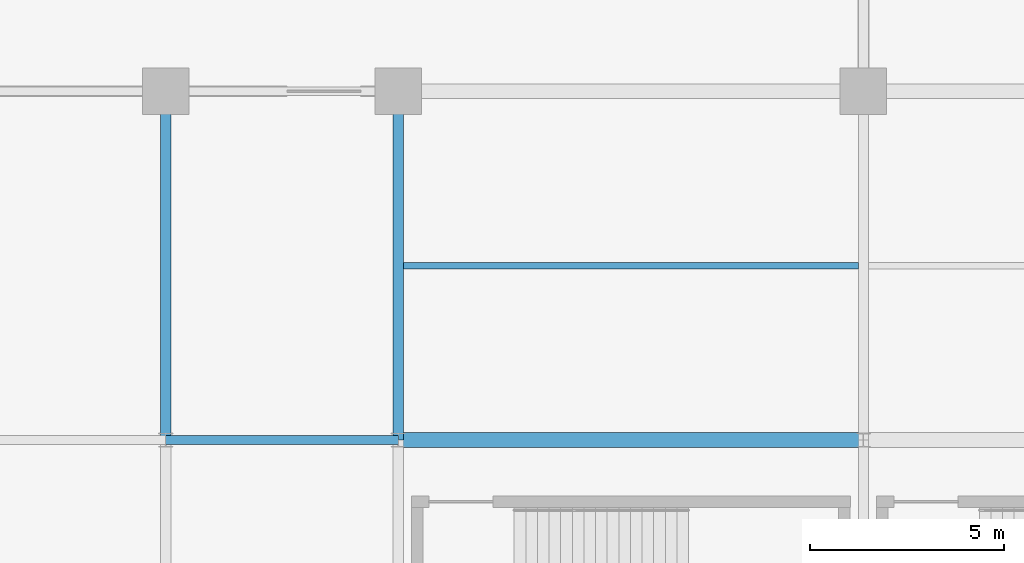
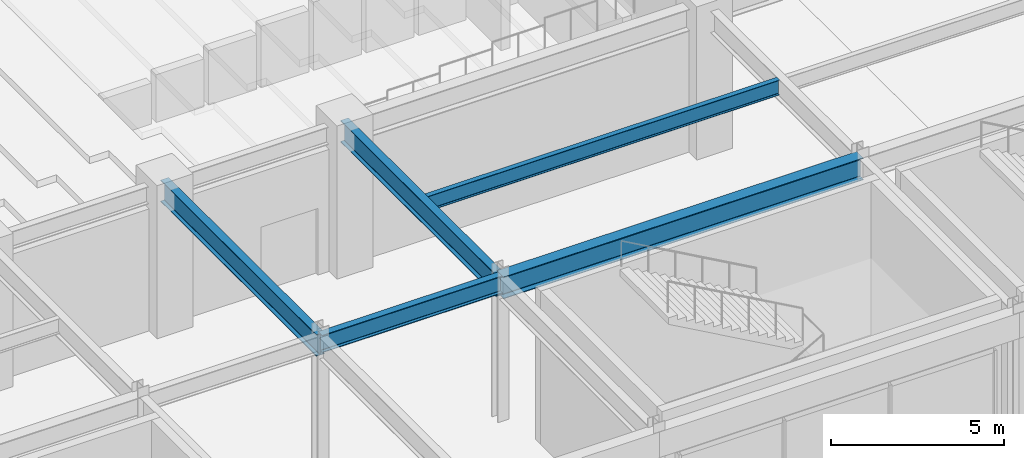
# One storey, part 31 of 100: 5 beams.
"""IFC4 building model written with IfcOpenShell, lengths in metres."""

import ifcopenshell
import ifcopenshell.guid

model = None  # the IFC model being written
_history = None  # IfcOwnerHistory: only IFC2X3 demands one
_inside = {}  # id of a spatial element -> (the spatial element, [elements in it])
_under = {}  # id of a project, library or spatial element -> (it, [spatial elements below it])
_declared = {}  # id of a project -> (the project, [libraries it declares])
_typed = {}  # id of a type object -> (the type object, [elements of that type])
_made_of = {}  # id of a material, layer set ... -> (it, [elements and type objects made of it])


def new_model(schema):
    """Start an empty IFC model of exactly this schema.

    Asked for "IFC4X3", IfcOpenShell would pick the latest addendum, in which some entities
    have other attributes; the version numbers below select the first issue.
    IFC2X3 requires an IfcOwnerHistory on every rooted entity: one is made here for all.
    """
    global model, _history
    if schema == "IFC4X3":
        model = ifcopenshell.file(schema_version=(4, 3, 0, 0))
    else:
        model = ifcopenshell.file(schema=schema)
    _inside.clear()
    _under.clear()
    _declared.clear()
    _typed.clear()
    _made_of.clear()
    _history = None
    if model.schema == "IFC2X3":
        org = make("IfcOrganization", Name="unknown")
        user = make(
            "IfcPersonAndOrganization",
            ThePerson=make("IfcPerson", FamilyName="unknown"),
            TheOrganization=org,
        )
        app = make(
            "IfcApplication",
            ApplicationDeveloper=org,
            Version="unknown",
            ApplicationFullName="unknown",
            ApplicationIdentifier="unknown",
        )
        _history = make(
            "IfcOwnerHistory",
            OwningUser=user,
            OwningApplication=app,
            ChangeAction="ADDED",
            CreationDate=0,
        )
    return model


def make(cls, **values):
    """One entity of the class cls with the attributes given. An attribute that is None is left unset."""
    return model.create_entity(
        cls, **{name: value for name, value in values.items() if value is not None}
    )


def rooted(cls, **values):
    """An entity with a GlobalId (a new one), such as an element, a storey or a relation."""
    return make(cls, GlobalId=ifcopenshell.guid.new(), OwnerHistory=_history, **values)


def si_unit(unit_type, name, prefix=None):
    """IfcSIUnit, for example si_unit("LENGTHUNIT", "METRE", prefix="MILLI")."""
    return make("IfcSIUnit", UnitType=unit_type, Prefix=prefix, Name=name)


def assignment(units):
    """IfcUnitAssignment: the units of a project."""
    return None if units is None else make("IfcUnitAssignment", Units=units)


def point(xyz):
    """IfcCartesianPoint."""
    return None if xyz is None else make("IfcCartesianPoint", Coordinates=xyz)


def direction(xyz):
    """IfcDirection."""
    return None if xyz is None else make("IfcDirection", DirectionRatios=xyz)


def frame(location, z_axis=None, x_axis=None):
    """IfcAxis2Placement3D, a coordinate frame: its origin and axes. An axis left out is left unset."""
    return make(
        "IfcAxis2Placement3D",
        Location=point(location),
        Axis=direction(z_axis),
        RefDirection=direction(x_axis),
    )


def frame_2d(location, x_axis=None):
    """IfcAxis2Placement2D, a coordinate frame in the plane: its origin and x axis."""
    return make(
        "IfcAxis2Placement2D", Location=point(location), RefDirection=direction(x_axis)
    )


def origin():
    """The frame at (0, 0, 0) with its axes left unset."""
    return frame((0.0, 0.0, 0.0))


def origin_2d():
    """The frame at (0, 0) in the plane with its x axis left unset."""
    return frame_2d((0.0, 0.0))


def place(relative_to, where):
    """IfcLocalPlacement: puts the frame where relative to a parent placement (None: the world)."""
    return make(
        "IfcLocalPlacement", PlacementRelTo=relative_to, RelativePlacement=where
    )


def context(
    kind, dimensions, precision=None, world=None, true_north=None, identifier=None
):
    """IfcGeometricRepresentationContext, for example the 3D "Model" context."""
    return make(
        "IfcGeometricRepresentationContext",
        ContextIdentifier=identifier,
        ContextType=kind,
        CoordinateSpaceDimension=dimensions,
        Precision=precision,
        WorldCoordinateSystem=world,
        TrueNorth=true_north,
    )


def subcontext(parent, identifier, kind, view, scale=None):
    """IfcGeometricRepresentationSubContext, for example "Body" below "Model"."""
    return make(
        "IfcGeometricRepresentationSubContext",
        ContextIdentifier=identifier,
        ContextType=kind,
        ParentContext=parent,
        TargetScale=scale,
        TargetView=view,
    )


def project(units=None, contexts=None):
    """IfcProject with its units and contexts."""
    return rooted(
        "IfcProject",
        Name="project",
        RepresentationContexts=contexts,
        UnitsInContext=assignment(units),
    )


def spatial(cls, under=None, at=None, **own):
    """A site, building, storey or space (cls), placed at a placement, below another one or the project."""
    s = rooted(cls, ObjectPlacement=at, **own)
    if under is not None:
        _under.setdefault(under.id(), (under, []))[1].append(s)
    return s


def profile(cls, at=None, kind="AREA", **sizes):
    """A parametric profile (cls). Its sizes go by their IFC names, for example OverallWidth=200.0."""
    return make(cls, ProfileType=kind, Position=at, **sizes)


def i_section(**sizes):
    """IfcIShapeProfileDef."""
    return profile("IfcIShapeProfileDef", **sizes)


def extrude(swept, where, along, depth):
    """IfcExtrudedAreaSolid: the profile swept, set in the frame where, extruded along a direction by depth."""
    return make(
        "IfcExtrudedAreaSolid",
        SweptArea=swept,
        Position=where,
        ExtrudedDirection=direction(along),
        Depth=depth,
    )


def shape(context_of_items, identifier, shape_type, items):
    """IfcShapeRepresentation: the items that make up one representation, for example the "Body"."""
    return make(
        "IfcShapeRepresentation",
        ContextOfItems=context_of_items,
        RepresentationIdentifier=identifier,
        RepresentationType=shape_type,
        Items=items,
    )


def material(Name=None, Category=None):
    """IfcMaterial."""
    return make("IfcMaterial", Name=Name, Category=Category)


def material_profile(
    of_material, cross_section, Name=None, Category=None, Priority=None
):
    """IfcMaterialProfile: a cross section and its material."""
    return make(
        "IfcMaterialProfile",
        Name=Name,
        Material=of_material,
        Profile=cross_section,
        Priority=Priority,
        Category=Category,
    )


def profile_set(profiles, Name=None, composite=None):
    """IfcMaterialProfileSet."""
    return make(
        "IfcMaterialProfileSet",
        Name=Name,
        MaterialProfiles=profiles,
        CompositeProfile=composite,
    )


def made_of(thing, what):
    """Note that an element or type object is made of a material, layer set ...; save() writes the relation."""
    if what is not None:
        _made_of.setdefault(what.id(), (what, []))[1].append(thing)
    return thing


def type_object(cls, material=None, **own):
    """A type object (cls), such as IfcWallType, which elements share."""
    return made_of(rooted(cls, **own), material)


def element(
    cls,
    number,
    at=None,
    inside=None,
    cuts=None,
    type_object=None,
    material=None,
    context=None,
    identifier="Body",
    shape_type=None,
    held_by="IfcProductDefinitionShape",
    body=None,
    shapes=None,
    **own,
):
    """One element of the class cls, such as IfcWall. Its Tag is "e" and its number.

    at: its placement. inside: the storey or other place that contains it. cuts: it is an
    opening in that element (IfcRelVoidsElement). A single representation is given by context,
    identifier, shape_type and body (its items); several are given by shapes. held_by: the class
    of the entity that holds the representations. save() writes the other relations.
    """
    e = rooted(cls, Tag="e%d" % number, ObjectPlacement=at, **own)
    if body is not None:
        shapes = [shape(context, identifier, shape_type, body)]
    if shapes is not None:
        e.Representation = make(held_by, Representations=shapes)
    if inside is not None:
        _inside.setdefault(inside.id(), (inside, []))[1].append(e)
    if cuts is not None:
        rooted(
            "IfcRelVoidsElement", RelatingBuildingElement=cuts, RelatedOpeningElement=e
        )
    if type_object is not None:
        _typed.setdefault(type_object.id(), (type_object, []))[1].append(e)
    return made_of(e, material)


def aggregate(whole, parts):
    """IfcRelAggregates: a whole, such as a stair, and the parts it consists of."""
    return rooted("IfcRelAggregates", RelatingObject=whole, RelatedObjects=parts)


def save(model, path):
    """Write the relations noted so far, then the file.

    IfcRelAggregates (storeys below a building ...), IfcRelContainedInSpatialStructure (elements
    in a storey), IfcRelDefinesByType, IfcRelAssociatesMaterial and IfcRelDeclares: one each for
    every whole, place, type object, material and project.
    """
    for whole, parts in _under.values():
        aggregate(whole, parts)
    for where, things in _inside.values():
        rooted(
            "IfcRelContainedInSpatialStructure",
            RelatedElements=things,
            RelatingStructure=where,
        )
    for kind, things in _typed.values():
        rooted("IfcRelDefinesByType", RelatedObjects=things, RelatingType=kind)
    for what, things in _made_of.values():
        rooted("IfcRelAssociatesMaterial", RelatedObjects=things, RelatingMaterial=what)
    for by, libraries in _declared.values():
        rooted("IfcRelDeclares", RelatingContext=by, RelatedDefinitions=libraries)
    model.write(path)


model = new_model("IFC4")

# Units and contexts
model_context = context("Model", 3, precision=1e-05, world=origin(), true_north=direction((0.0, 1.0)))
body_context = subcontext(model_context, "Body", "Model", "MODEL_VIEW")
ifc_project = project(units=[si_unit("LENGTHUNIT", "METRE"), si_unit("AREAUNIT", "SQUARE_METRE"), si_unit("VOLUMEUNIT", "CUBIC_METRE"), si_unit("PLANEANGLEUNIT", "RADIAN"), si_unit("MASSUNIT", "GRAM", prefix="KILO")], contexts=[model_context])

# Site, building, storey
site_placement = place(None, origin())
site = spatial("IfcSite", under=ifc_project, at=site_placement, CompositionType="ELEMENT")
building_placement = place(site_placement, origin())
building = spatial("IfcBuilding", under=site, at=building_placement, Name="Kaldorvane Square Convention Centre", CompositionType="ELEMENT")
storey_placement = place(building_placement, frame((0.0, 0.0, 18.0)))
storey = spatial("IfcBuildingStorey", under=building, at=storey_placement, Name="L03", CompositionType="ELEMENT", Elevation=18.0)

# Beams
ifc_material = material(Name="Steel ASTM A992 Gr. 50", Category="steel")
ifc_material_profile_1 = material_profile(ifc_material, i_section(OverallWidth=0.2303009033203125, OverallDepth=0.61749267578125, WebThickness=0.0131072998046875, FlangeThickness=0.0222015380859375, FilletRadius=0.0126953125, at=origin_2d()), Name="W24X94")
ifc_profile_set_1 = profile_set([ifc_material_profile_1], Name="Steel ASTM A992 Gr. 50")
beam_type_1 = type_object("IfcBeamType", Name="BM-GR-W24X94", PredefinedType="BEAM", material=ifc_profile_set_1)
beam_1_placement = place(storey_placement, frame((96.0, 9.0, 4.7671966552734375), z_axis=(1.0, 0.0, 0.0), x_axis=(0.0, 1.0, 0.0)))
element("IfcBeam", 1, at=beam_1_placement, inside=storey, type_object=beam_type_1, Name="Primary Girder (L03)", PredefinedType="BEAM", context=body_context, shape_type="SweptSolid", body=[
    extrude(i_section(OverallWidth=0.2303009033203125, OverallDepth=0.61749267578125, WebThickness=0.0131072998046875, FlangeThickness=0.0222015380859375, FilletRadius=0.0126953125, at=origin_2d()), origin(), (0.0, 0.0, 1.0), 6.0),
])
ifc_material_profile_2 = material_profile(ifc_material, i_section(OverallWidth=0.2666015625, OverallDepth=0.762298583984375, WebThickness=0.014404296875, FlangeThickness=0.0216064453125, FilletRadius=0.0164947509765625, at=origin_2d()), Name="W30X116")
ifc_profile_set_2 = profile_set([ifc_material_profile_2], Name="Steel ASTM A992 Gr. 50")
beam_type_2 = type_object("IfcBeamType", Name="BM-GR-W30X116", PredefinedType="BEAM", material=ifc_profile_set_2)
for number, where, z_axis, x_axis, name in (
    (2, (96.0, 9.0, 4.694793701171875), (0.0, 1.0, 0.0), (-1.0, 0.0, 0.0), "Transverse Girder (L03)"),
    (3, (102.0, 9.0, 4.694793701171875), (0.0, 1.0, 0.0), (-1.0, 0.0, 0.0), "Transverse Girder (L03)"),
):
    element("IfcBeam", number, at=place(storey_placement, frame(where, z_axis=z_axis, x_axis=x_axis)), inside=storey, type_object=beam_type_2, Name=name, PredefinedType="BEAM", context=body_context, shape_type="SweptSolid", body=[
        extrude(i_section(OverallWidth=0.2666015625, OverallDepth=0.762298583984375, WebThickness=0.014404296875, FlangeThickness=0.0216064453125, FilletRadius=0.0164947509765625, at=origin_2d()), origin(), (0.0, 0.0, 1.0), 9.0),
    ])
ifc_material_profile_3 = material_profile(ifc_material, i_section(OverallWidth=0.380706787109375, OverallDepth=0.773193359375, WebThickness=0.0166015625, FlangeThickness=0.027099609375, FilletRadius=0.0164947509765625, at=origin_2d()), Name="W30X173")
ifc_profile_set_3 = profile_set([ifc_material_profile_3], Name="Steel ASTM A992 Gr. 50")
beam_type_3 = type_object("IfcBeamType", Name="BM-GR-W30X173", PredefinedType="BEAM", material=ifc_profile_set_3)
beam_2_placement = place(storey_placement, frame((102.0, 9.0, 4.6894073486328125), z_axis=(1.0, 0.0, 0.0), x_axis=(0.0, 1.0, 0.0)))
element("IfcBeam", 4, at=beam_2_placement, inside=storey, type_object=beam_type_3, Name="Primary Girder (L03)", PredefinedType="BEAM", context=body_context, shape_type="SweptSolid", body=[
    extrude(i_section(OverallWidth=0.380706787109375, OverallDepth=0.773193359375, WebThickness=0.0166015625, FlangeThickness=0.027099609375, FilletRadius=0.0164947509765625, at=origin_2d()), origin(), (0.0, 0.0, 1.0), 12.0),
])
ifc_material_profile_4 = material_profile(ifc_material, i_section(OverallWidth=0.1658935546875, OverallDepth=0.5290985107421875, WebThickness=0.00970458984375, FlangeThickness=0.0135955810546875, FilletRadius=0.0126953125, at=origin_2d()), Name="W21X50")
ifc_profile_set_4 = profile_set([ifc_material_profile_4], Name="Steel ASTM A992 Gr. 50")
beam_type_4 = type_object("IfcBeamType", Name="BM-JS-W21X50", PredefinedType="JOIST", material=ifc_profile_set_4)
beam_3_placement = place(storey_placement, frame((102.13330078125, 13.5, 4.8114013671875), z_axis=(1.0, 0.0, 0.0), x_axis=(0.0, 1.0, 0.0)))
element("IfcBeam", 5, at=beam_3_placement, inside=storey, type_object=beam_type_4, Name="Secondary Floor Joist (L03)", PredefinedType="JOIST", context=body_context, shape_type="SweptSolid", body=[
    extrude(i_section(OverallWidth=0.1658935546875, OverallDepth=0.5290985107421875, WebThickness=0.00970458984375, FlangeThickness=0.0135955810546875, FilletRadius=0.0126953125, at=origin_2d()), origin(), (0.0, 0.0, 1.0), 11.7333984375),
])

save(model, "model.ifc")
